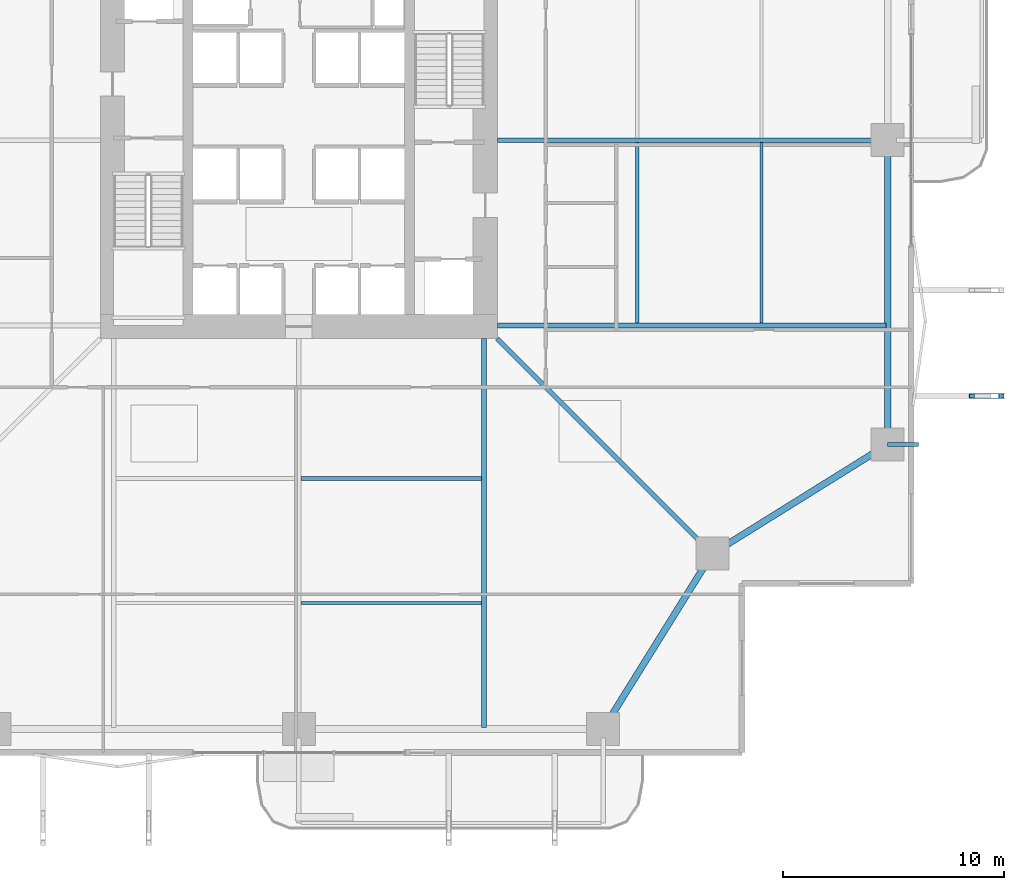
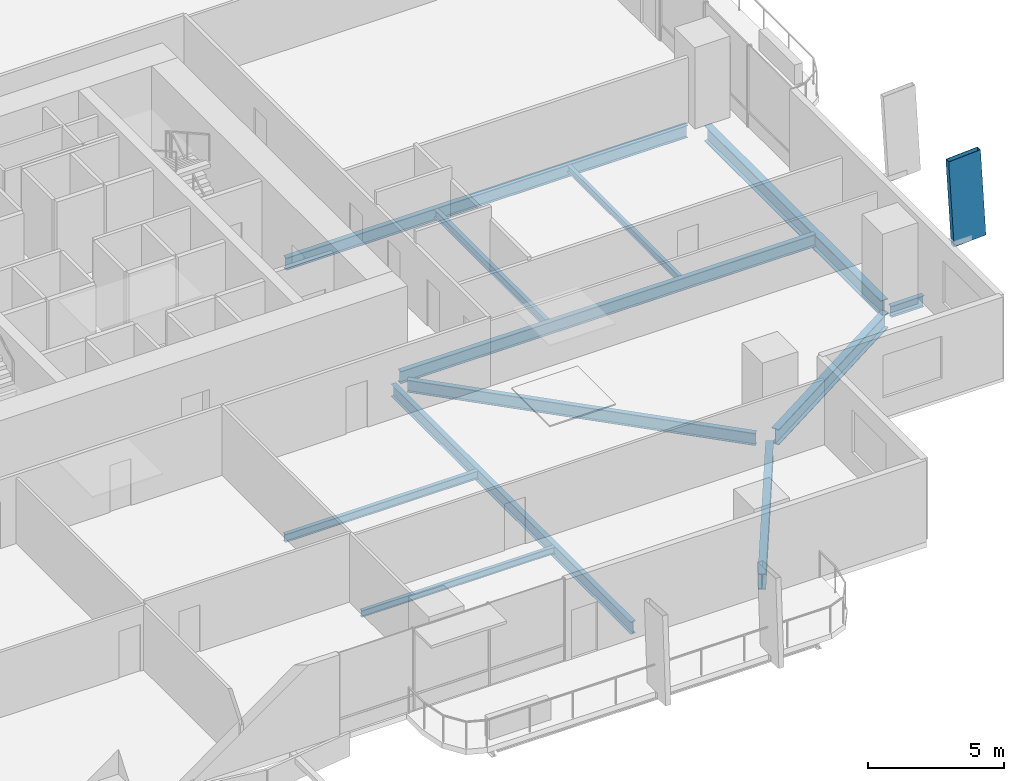
# One storey, part 7 of 24: 12 beams, 1 member.
"""IFC4 building model written with IfcOpenShell, lengths in metres."""

from ifc_helpers import new_model, si_unit, direction, frame, origin, origin_2d, place, context, subcontext, project, spatial, hollow_rectangle, i_section, extrude, material, material_profile, profile_set, type_object, element, save


model = new_model("IFC4")

# Units and contexts
model_context = context("Model", 3, precision=1e-05, world=origin(), true_north=direction((0.0, 1.0)))
body_context = subcontext(model_context, "Body", "Model", "MODEL_VIEW")
ifc_project = project(units=[si_unit("LENGTHUNIT", "METRE"), si_unit("AREAUNIT", "SQUARE_METRE"), si_unit("VOLUMEUNIT", "CUBIC_METRE"), si_unit("PLANEANGLEUNIT", "RADIAN"), si_unit("MASSUNIT", "GRAM", prefix="KILO")], contexts=[model_context])

# Site, building, storey
site_placement = place(None, origin())
site = spatial("IfcSite", under=ifc_project, at=site_placement, CompositionType="ELEMENT")
building_placement = place(site_placement, origin())
building = spatial("IfcBuilding", under=site, at=building_placement, Name="Belovzor Exchange Tower", CompositionType="ELEMENT")
storey_placement = place(building_placement, frame((0.0, 0.0, 33.89990234375)))
storey = spatial("IfcBuildingStorey", under=building, at=storey_placement, Name="L07", CompositionType="ELEMENT", Elevation=33.89990234375)

# Member
ifc_material_1 = material(Name="Extruded Architectural Terracotta on Steel S355 Carrier", Category="masonry")
ifc_material_profile_1 = material_profile(ifc_material_1, hollow_rectangle(XDim=0.219970703125, YDim=1.35009765625, WallThickness=0.013916015625, at=origin_2d()))
ifc_profile_set_1 = profile_set([ifc_material_profile_1], Name="Extruded Architectural Terracotta on Steel S355 Carrier")
member_type = type_object("IfcMemberType", Name="Base Arc Sweeping Terracotta Pylon Fin 1450", PredefinedType="USERDEFINED", material=ifc_profile_set_1)
member_placement = place(storey_placement, frame((60.10400390625, 17.199951171875, -0.25), z_axis=(-0.059113970154, 0.0, 0.998251240186), x_axis=(0.0, -1.0, 0.0)))
element("IfcMember", 1, at=member_placement, inside=storey, type_object=member_type, Name="FIN-TC145 Terracotta Facade Fin L07 E1", ObjectType="FIN", PredefinedType="USERDEFINED", context=body_context, shape_type="SweptSolid", body=[
    extrude(hollow_rectangle(XDim=0.219970703125, YDim=1.35009765625, WallThickness=0.013916015625, at=origin_2d()), origin(), (0.0, 0.0, 1.0), 3.906982421875),
])

# Beams
ifc_material_2 = material(Name="Steel S355", Category="steel")
ifc_material_profile_2 = material_profile(ifc_material_2, i_section(OverallWidth=0.199951171875, OverallDepth=0.5, WebThickness=0.01025390625, FlangeThickness=0.01611328125, at=origin_2d()))
ifc_profile_set_2 = profile_set([ifc_material_profile_2], Name="Steel S355")
beam_type_1 = type_object("IfcBeamType", Name="Planted Balcony Cantilever Beam IPE 500", PredefinedType="BEAM", material=ifc_profile_set_2)
beam_1_placement = place(storey_placement, frame((55.5, 15.0, -0.5), z_axis=(1.0, 0.0, 0.0), x_axis=(0.0, 1.0, 0.0)))
element("IfcBeam", 2, at=beam_1_placement, inside=storey, type_object=beam_type_1, Name="BC-500 Planted Balcony Cantilever Beam IPE 500", PredefinedType="BEAM", context=body_context, shape_type="SweptSolid", body=[
    extrude(i_section(OverallWidth=0.199951171875, OverallDepth=0.5, WebThickness=0.01025390625, FlangeThickness=0.01611328125, at=origin_2d()), origin(), (0.0, 0.0, 1.0), 1.39990234375),
])
ifc_material_3 = material(Name="Steel S355", Category="steel")
ifc_material_profile_3 = material_profile(ifc_material_3, i_section(OverallWidth=0.169921875, OverallDepth=0.360107421875, WebThickness=0.008056640625, FlangeThickness=0.0126953125, at=origin_2d()))
ifc_profile_set_3 = profile_set([ifc_material_profile_3], Name="Steel S355")
beam_type_2 = type_object("IfcBeamType", Name="Secondary Infill Floor Joist IPE 360", PredefinedType="BEAM", material=ifc_profile_set_3)
beam_2_placement = place(storey_placement, frame((28.905029296875, 13.455078125, -0.429931640625), z_axis=(1.0, 0.0, 0.0), x_axis=(0.0, 1.0, 0.0)))
element("IfcBeam", 3, at=beam_2_placement, inside=storey, type_object=beam_type_2, Name="FJ-360 Secondary Infill Floor Joist IPE 360", PredefinedType="BEAM", context=body_context, shape_type="SweptSolid", body=[
    extrude(i_section(OverallWidth=0.169921875, OverallDepth=0.360107421875, WebThickness=0.008056640625, FlangeThickness=0.0126953125, at=origin_2d()), origin(), (0.0, 0.0, 1.0), 8.18994140625),
])
beam_3_placement = place(storey_placement, frame((44.14501953125, 20.5048828125, -0.429931640625), z_axis=(0.0, 1.0, 0.0), x_axis=(-1.0, 0.0, 0.0)))
element("IfcBeam", 4, at=beam_3_placement, inside=storey, type_object=beam_type_2, Name="FJ-360 Secondary Infill Floor Joist IPE 360", PredefinedType="BEAM", context=body_context, shape_type="SweptSolid", body=[
    extrude(i_section(OverallWidth=0.169921875, OverallDepth=0.360107421875, WebThickness=0.008056640625, FlangeThickness=0.0126953125, at=origin_2d()), origin(), (0.0, 0.0, 1.0), 8.190185546875),
])
ifc_material_4 = material(Name="Steel S355", Category="steel")
ifc_material_profile_4 = material_profile(ifc_material_4, i_section(OverallWidth=0.14990234375, OverallDepth=0.300048828125, WebThickness=0.007080078125, FlangeThickness=0.0107421875, at=origin_2d()))
ifc_profile_set_4 = profile_set([ifc_material_profile_4], Name="Steel S355")
beam_type_3 = type_object("IfcBeamType", Name="Secondary Trim Floor Joist IPE 300", PredefinedType="BEAM", material=ifc_profile_set_4)
beam_4_placement = place(storey_placement, frame((28.905029296875, 7.81494140625, -0.39990234375), z_axis=(1.0, 0.0, 0.0), x_axis=(0.0, 1.0, 0.0)))
element("IfcBeam", 5, at=beam_4_placement, inside=storey, type_object=beam_type_3, Name="FJ-300 Secondary Trim Floor Joist IPE 300", PredefinedType="BEAM", context=body_context, shape_type="SweptSolid", body=[
    extrude(i_section(OverallWidth=0.14990234375, OverallDepth=0.300048828125, WebThickness=0.007080078125, FlangeThickness=0.0107421875, at=origin_2d()), origin(), (0.0, 0.0, 1.0), 8.18994140625),
])
beam_5_placement = place(storey_placement, frame((49.784912109375, 20.5048828125, -0.39990234375), z_axis=(0.0, 1.0, 0.0), x_axis=(-1.0, 0.0, 0.0)))
element("IfcBeam", 6, at=beam_5_placement, inside=storey, type_object=beam_type_3, Name="FJ-300 Secondary Trim Floor Joist IPE 300", PredefinedType="BEAM", context=body_context, shape_type="SweptSolid", body=[
    extrude(i_section(OverallWidth=0.14990234375, OverallDepth=0.300048828125, WebThickness=0.007080078125, FlangeThickness=0.0107421875, at=origin_2d()), origin(), (0.0, 0.0, 1.0), 8.190185546875),
])
ifc_material_5 = material(Name="Steel S355", Category="steel")
ifc_material_profile_5 = material_profile(ifc_material_5, i_section(OverallWidth=0.300048828125, OverallDepth=0.699951171875, WebThickness=0.01708984375, FlangeThickness=0.031982421875, at=origin_2d()))
ifc_profile_set_5 = profile_set([ifc_material_profile_5], Name="Steel S355")
beam_type_4 = type_object("IfcBeamType", Name="Zone 1 Primary Perimeter Girder HEB 700", PredefinedType="BEAM", material=ifc_profile_set_5)
for number, where, z_axis, x_axis, name in (
    (7, (42.818115234375, 2.449951171875, -0.599853515625), (0.528538629686, 0.848909251292, 0.0), (-0.848909251292, 0.528538629686, 0.0), "FG-Z1 Zone 1 Primary Perimeter Girder HEB 700"),
    (8, (47.89990234375, 10.26806640625, -0.599853515625), (0.848909251292, 0.528538629686, 0.0), (-0.528538629686, 0.848909251292, 0.0), "FG-Z1 Zone 1 Primary Perimeter Girder HEB 700"),
):
    element("IfcBeam", number, at=place(storey_placement, frame(where, z_axis=z_axis, x_axis=x_axis)), inside=storey, type_object=beam_type_4, Name=name, PredefinedType="BEAM", context=body_context, shape_type="SweptSolid", body=[
        extrude(i_section(OverallWidth=0.300048828125, OverallDepth=0.699951171875, WebThickness=0.01708984375, FlangeThickness=0.031982421875, at=origin_2d()), origin(), (0.0, 0.0, 1.0), 8.540283203125),
    ])
beam_6_placement = place(storey_placement, frame((55.5, 15.412109375, -0.599853515625), z_axis=(0.0, 1.0, 0.0), x_axis=(-1.0, 0.0, 0.0)))
element("IfcBeam", 9, at=beam_6_placement, inside=storey, type_object=beam_type_4, Name="FG-Z1 Zone 1 Primary Perimeter Girder HEB 700", PredefinedType="BEAM", context=body_context, shape_type="SweptSolid", body=[
    extrude(i_section(OverallWidth=0.300048828125, OverallDepth=0.699951171875, WebThickness=0.01708984375, FlangeThickness=0.031982421875, at=origin_2d()), origin(), (0.0, 0.0, 1.0), 12.974853515625),
])
ifc_material_6 = material(Name="Steel S355", Category="steel")
ifc_material_profile_6 = material_profile(ifc_material_6, i_section(OverallWidth=0.2099609375, OverallDepth=0.550048828125, WebThickness=0.010986328125, FlangeThickness=0.01708984375, at=origin_2d()))
ifc_profile_set_6 = profile_set([ifc_material_profile_6], Name="Steel S355")
beam_type_5 = type_object("IfcBeamType", Name="Zone 1 Radial Composite Floor Beam IPE 550", PredefinedType="BEAM", material=ifc_profile_set_6)
for number, where, z_axis, x_axis, name in (
    (10, (37.199951171875, 19.800048828125, -0.52490234375), (0.0, -1.0, 0.0), (1.0, 0.0, 0.0), "FB-550 Zone 1 Radial Composite Floor Beam IPE 550"),
    (11, (37.800048828125, 20.39990234375, -0.52490234375), (1.0, 0.0, 0.0), (0.0, 1.0, 0.0), "FB-550 Zone 1 Radial Composite Floor Beam IPE 550"),
):
    element("IfcBeam", number, at=place(storey_placement, frame(where, z_axis=z_axis, x_axis=x_axis)), inside=storey, type_object=beam_type_5, Name=name, PredefinedType="BEAM", context=body_context, shape_type="SweptSolid", body=[
        extrude(i_section(OverallWidth=0.2099609375, OverallDepth=0.550048828125, WebThickness=0.010986328125, FlangeThickness=0.01708984375, at=origin_2d()), origin(), (0.0, 0.0, 1.0), 17.625),
    ])
beam_7_placement = place(storey_placement, frame((37.800048828125, 28.800048828125, -0.52490234375), z_axis=(1.0, 0.0, 0.0), x_axis=(0.0, 1.0, 0.0)))
element("IfcBeam", 12, at=beam_7_placement, inside=storey, type_object=beam_type_5, Name="FB-550 Zone 1 Radial Composite Floor Beam IPE 550", PredefinedType="BEAM", context=body_context, shape_type="SweptSolid", body=[
    extrude(i_section(OverallWidth=0.2099609375, OverallDepth=0.550048828125, WebThickness=0.010986328125, FlangeThickness=0.01708984375, at=origin_2d()), origin(), (0.0, 0.0, 1.0), 17.0400390625),
])
beam_8_placement = place(storey_placement, frame((37.800048828125, 19.800048828125, -0.52490234375), z_axis=(0.707106781187, -0.707106781187, 0.0), x_axis=(0.707106781187, 0.707106781187, 0.0)))
element("IfcBeam", 13, at=beam_8_placement, inside=storey, type_object=beam_type_5, Name="FB-550 Zone 1 Radial Composite Floor Beam IPE 550", PredefinedType="BEAM", context=body_context, shape_type="SweptSolid", body=[
    extrude(i_section(OverallWidth=0.2099609375, OverallDepth=0.550048828125, WebThickness=0.010986328125, FlangeThickness=0.01708984375, at=origin_2d()), origin(), (0.0, 0.0, 1.0), 13.25830078125),
])

save(model, "model.ifc")
